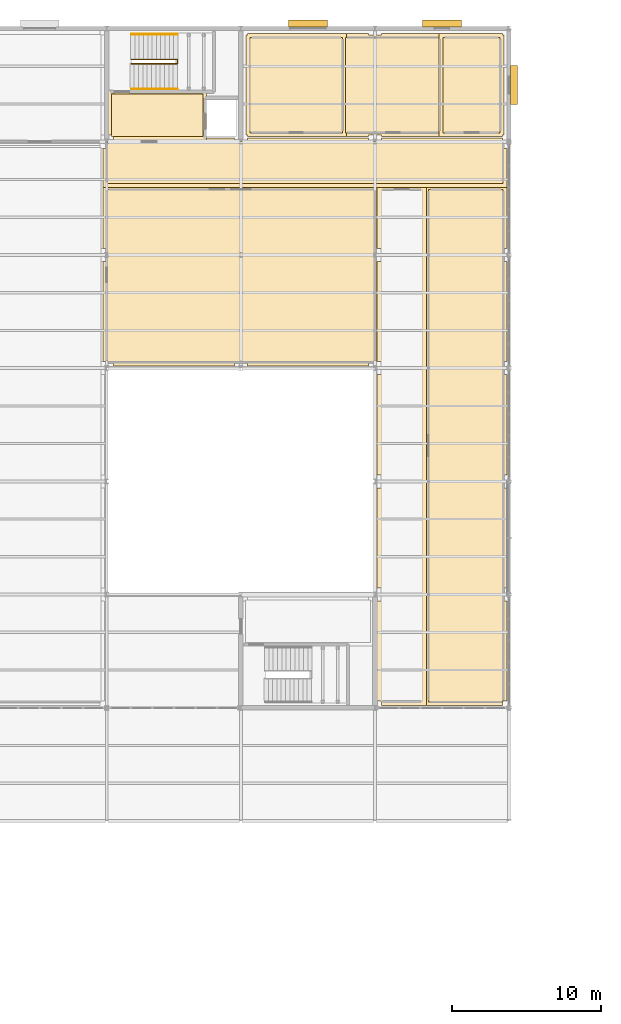
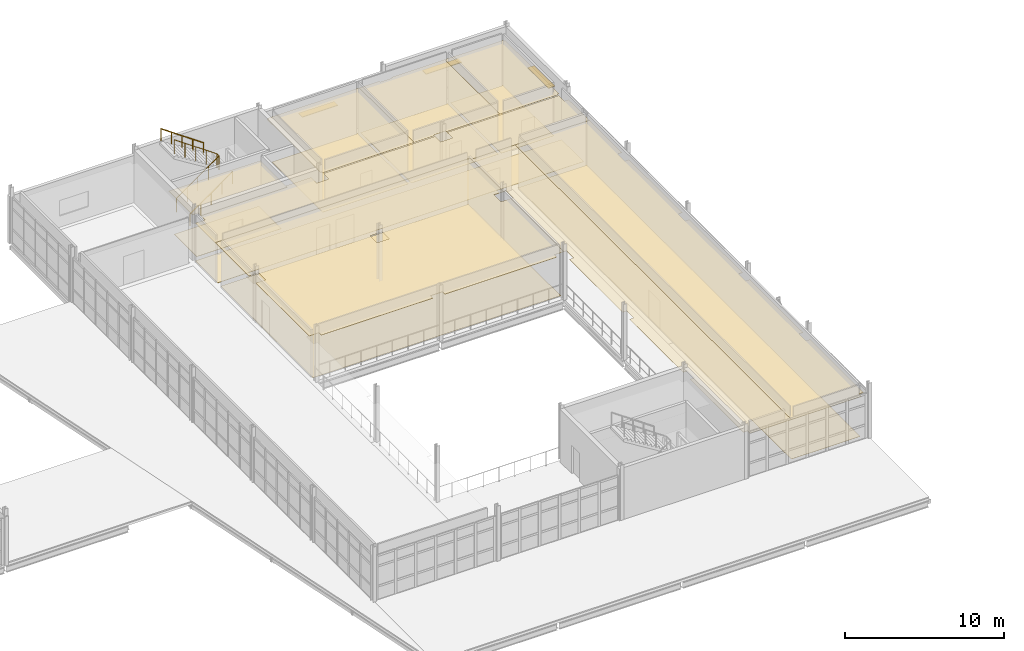
# One storey, part 96 of 96: 15 coverings, 3 railings, 3 shading devices.
"""IFC4 building model written with IfcOpenShell, lengths in metres."""

from ifc_helpers import new_model, si_unit, direction, frame, origin, origin_2d, place, context, subcontext, project, spatial, polyline, rectangle, circle, outline, extrude, material, layer, layer_set, type_object, element, save


model = new_model("IFC4")

# Units and contexts
model_context = context("Model", 3, precision=1e-05, world=origin(), true_north=direction((0.0, 1.0)))
body_context = subcontext(model_context, "Body", "Model", "MODEL_VIEW")
ifc_project = project(units=[si_unit("LENGTHUNIT", "METRE"), si_unit("AREAUNIT", "SQUARE_METRE"), si_unit("VOLUMEUNIT", "CUBIC_METRE"), si_unit("PLANEANGLEUNIT", "RADIAN"), si_unit("MASSUNIT", "GRAM", prefix="KILO")], contexts=[model_context])

# Site, building, storey
site_placement = place(None, origin())
site = spatial("IfcSite", under=ifc_project, at=site_placement, CompositionType="ELEMENT")
building_placement = place(site_placement, origin())
building = spatial("IfcBuilding", under=site, at=building_placement, Name="Caisbarro Railhouse Central Library", CompositionType="ELEMENT")
storey_placement = place(building_placement, frame((0.0, 0.0, 13.679931640625)))
storey = spatial("IfcBuildingStorey", under=building, at=storey_placement, Name="L03", CompositionType="ELEMENT", Elevation=13.679931640625)

# Coverings
ifc_material_1 = material(Name="Perforated mineral-fibre acoustic ceiling tile")
ifc_layer_1 = layer(ifc_material_1, 0.01806640625, Name="Perforated mineral-fibre acoustic ceiling tile")
ifc_layer_set_1 = layer_set([ifc_layer_1], Name="Perforated mineral-fibre acoustic ceiling tile")
covering_type_1 = type_object("IfcCoveringType", Name="COV-CL01", PredefinedType="CEILING", material=ifc_layer_set_1)
covering_1_placement = place(storey_placement, frame((0.0, 0.0, 3.25)))
element("IfcCovering", 1, at=covering_1_placement, inside=storey, type_object=covering_type_1, Name="CL01 acoustic ceiling Lift Lobby K3", PredefinedType="CEILING", context=body_context, shape_type="SweptSolid", body=[
    extrude(outline(polyline([(126.0400390625, 109.860107421875), (132.7099609375, 109.860107421875), (132.7099609375, 106.489990234375), (126.43994140625, 106.489990234375), (126.43994140625, 106.840087890625), (126.0400390625, 106.840087890625), (126.0400390625, 109.860107421875)])), origin(), (0.0, 0.0, 1.0), 0.01806640625),
])
covering_2_placement = place(storey_placement, frame((0.0, 0.0, 3.25)))
element("IfcCovering", 2, at=covering_2_placement, inside=storey, type_object=covering_type_1, Name="CL01 acoustic ceiling Atrium East Corridor L03", PredefinedType="CEILING", context=body_context, shape_type="SweptSolid", body=[
    extrude(outline(polyline([(144.43994140625, 68.840087890625), (144.139892578125, 68.840087890625), (144.139892578125, 75.56005859375), (144.43994140625, 75.56005859375), (144.43994140625, 76.43994140625), (144.139892578125, 76.43994140625), (144.139892578125, 83.159912109375), (144.43994140625, 83.159912109375), (144.43994140625, 84.0400390625), (144.139892578125, 84.0400390625), (144.139892578125, 90.760009765625), (144.43994140625, 90.760009765625), (144.43994140625, 91.639892578125), (144.139892578125, 91.639892578125), (144.139892578125, 98.360107421875), (144.43994140625, 98.360107421875), (144.43994140625, 99.239990234375), (144.139892578125, 99.239990234375), (144.139892578125, 103.4599609375), (147.4599609375, 103.4599609375), (147.4599609375, 68.5400390625), (144.43994140625, 68.5400390625), (144.43994140625, 68.840087890625)])), origin(), (0.0, 0.0, 1.0), 0.01806640625),
])
covering_3_placement = place(storey_placement, frame((0.0, 0.0, 3.25)))
element("IfcCovering", 3, at=covering_3_placement, inside=storey, type_object=covering_type_1, Name="CL01 acoustic ceiling Doctoral Research Suites L03", PredefinedType="CEILING", context=body_context, shape_type="SweptSolid", body=[
    extrude(outline(polyline([(152.56005859375, 83.159912109375), (152.860107421875, 83.159912109375), (152.860107421875, 76.43994140625), (152.56005859375, 76.43994140625), (152.56005859375, 75.56005859375), (152.860107421875, 75.56005859375), (152.860107421875, 68.840087890625), (152.56005859375, 68.840087890625), (152.56005859375, 68.5400390625), (147.340087890625, 68.5400390625), (147.340087890625, 103.4599609375), (152.860107421875, 103.4599609375), (152.860107421875, 99.239990234375), (152.56005859375, 99.239990234375), (152.56005859375, 98.360107421875), (152.860107421875, 98.360107421875), (152.860107421875, 91.639892578125), (152.56005859375, 91.639892578125), (152.56005859375, 90.760009765625), (152.860107421875, 90.760009765625), (152.860107421875, 84.0400390625), (152.56005859375, 84.0400390625), (152.56005859375, 83.159912109375)])), origin(), (0.0, 0.0, 1.0), 0.01806640625),
])
covering_4_placement = place(storey_placement, frame((0.0, 0.0, 3.25)))
element("IfcCovering", 4, at=covering_4_placement, inside=storey, type_object=covering_type_1, Name="CL01 acoustic ceiling Atrium North WC Corridor L03", PredefinedType="CEILING", context=body_context, shape_type="SweptSolid", body=[
    extrude(outline(polyline([(134.56005859375, 106.659912109375), (134.56005859375, 105.9599609375), (135.43994140625, 105.9599609375), (135.43994140625, 106.659912109375), (143.56005859375, 106.659912109375), (143.56005859375, 105.9599609375), (144.43994140625, 105.9599609375), (144.43994140625, 106.659912109375), (152.56005859375, 106.659912109375), (152.56005859375, 105.9599609375), (152.860107421875, 105.9599609375), (152.860107421875, 103.340087890625), (125.739990234375, 103.340087890625), (125.739990234375, 105.9599609375), (126.43994140625, 105.9599609375), (126.43994140625, 106.659912109375), (134.56005859375, 106.659912109375)])), origin(), (0.0, 0.0, 1.0), 0.01806640625),
])
covering_5_placement = place(storey_placement, frame((0.0, 0.0, 3.25)))
element("IfcCovering", 5, at=covering_5_placement, inside=storey, type_object=covering_type_1, Name="CL01 acoustic ceiling Male WC L03-V4", PredefinedType="CEILING", context=body_context, shape_type="SweptSolid", body=[
    extrude(outline(polyline([(142.095947265625, 113.659912109375), (142.095947265625, 106.739990234375), (135.43994140625, 106.739990234375), (135.43994140625, 106.840087890625), (135.340087890625, 106.840087890625), (135.340087890625, 113.56005859375), (135.43994140625, 113.56005859375), (135.43994140625, 113.659912109375), (142.095947265625, 113.659912109375)])), origin(), (0.0, 0.0, 1.0), 0.01806640625),
])
covering_6_placement = place(storey_placement, frame((0.0, 0.0, 3.25)))
element("IfcCovering", 6, at=covering_6_placement, inside=storey, type_object=covering_type_1, Name="CL01 acoustic ceiling Female WC L03-V4", PredefinedType="CEILING", context=body_context, shape_type="SweptSolid", body=[
    extrude(outline(polyline([(143.56005859375, 113.659912109375), (143.56005859375, 113.56005859375), (144.43994140625, 113.56005859375), (144.43994140625, 113.659912109375), (148.632080078125, 113.659912109375), (148.632080078125, 106.739990234375), (144.43994140625, 106.739990234375), (144.43994140625, 106.840087890625), (143.56005859375, 106.840087890625), (143.56005859375, 106.739990234375), (141.77587890625, 106.739990234375), (141.77587890625, 113.659912109375), (143.56005859375, 113.659912109375)])), origin(), (0.0, 0.0, 1.0), 0.01806640625),
])
covering_7_placement = place(storey_placement, frame((0.0, 0.0, 3.25)))
element("IfcCovering", 7, at=covering_7_placement, inside=storey, type_object=covering_type_1, Name="CL01 acoustic ceiling Accessible WC L03-V4", PredefinedType="CEILING", context=body_context, shape_type="SweptSolid", body=[
    extrude(outline(polyline([(152.56005859375, 113.659912109375), (152.56005859375, 113.56005859375), (152.659912109375, 113.56005859375), (152.659912109375, 106.840087890625), (152.56005859375, 106.840087890625), (152.56005859375, 106.739990234375), (148.31201171875, 106.739990234375), (148.31201171875, 113.659912109375), (152.56005859375, 113.659912109375)])), origin(), (0.0, 0.0, 1.0), 0.01806640625),
])
ifc_material_2 = material(Name="Slatted acoustic timber baffle ceiling", Category="wood")
ifc_layer_2 = layer(ifc_material_2, 0.031982421875, Name="Slatted acoustic timber baffle ceiling")
ifc_layer_set_2 = layer_set([ifc_layer_2], Name="Slatted acoustic timber baffle ceiling")
covering_type_2 = type_object("IfcCoveringType", Name="COV-CL02", PredefinedType="CEILING", material=ifc_layer_set_2)
covering_8_placement = place(storey_placement, frame((0.0, 0.0, 3.25)))
element("IfcCovering", 8, at=covering_8_placement, inside=storey, type_object=covering_type_2, Name="CL02 acoustic ceiling Special Collections Reading Room", PredefinedType="CEILING", context=body_context, shape_type="SweptSolid", body=[
    extrude(outline(polyline([(134.56005859375, 91.639892578125), (134.56005859375, 91.340087890625), (126.43994140625, 91.340087890625), (126.43994140625, 91.639892578125), (125.739990234375, 91.639892578125), (125.739990234375, 98.360107421875), (126.43994140625, 98.360107421875), (126.43994140625, 99.239990234375), (125.739990234375, 99.239990234375), (125.739990234375, 103.4599609375), (144.260009765625, 103.4599609375), (144.260009765625, 99.239990234375), (143.56005859375, 99.239990234375), (143.56005859375, 98.360107421875), (144.260009765625, 98.360107421875), (144.260009765625, 91.639892578125), (143.56005859375, 91.639892578125), (143.56005859375, 91.340087890625), (135.43994140625, 91.340087890625), (135.43994140625, 91.639892578125), (134.56005859375, 91.639892578125)]), holes=[polyline([(134.56005859375, 98.360107421875), (135.43994140625, 98.360107421875), (135.43994140625, 99.239990234375), (134.56005859375, 99.239990234375), (134.56005859375, 98.360107421875)])]), origin(), (0.0, 0.0, 1.0), 0.031982421875),
])
ifc_material_3 = material(Name="Polished cementitious terrazzo flooring")
ifc_layer_3 = layer(ifc_material_3, 0.02197265625, Name="Polished cementitious terrazzo flooring")
ifc_layer_set_3 = layer_set([ifc_layer_3], Name="Polished cementitious terrazzo flooring")
covering_type_3 = type_object("IfcCoveringType", Name="COV-FL01", PredefinedType="FLOORING", material=ifc_layer_set_3)
covering_9_placement = place(storey_placement, origin())
element("IfcCovering", 9, at=covering_9_placement, inside=storey, type_object=covering_type_3, Name="FL01 flooring Lift Lobby K3", PredefinedType="FLOORING", context=body_context, shape_type="SweptSolid", body=[
    extrude(outline(polyline([(126.300048828125, 106.75), (132.449951171875, 106.75), (132.449951171875, 109.60009765625), (126.300048828125, 109.60009765625), (126.300048828125, 106.75)])), origin(), (0.0, 0.0, 1.0), 0.02197265625),
])
covering_10_placement = place(storey_placement, origin())
element("IfcCovering", 10, at=covering_10_placement, inside=storey, type_object=covering_type_3, Name="FL01 flooring Atrium North WC Corridor L03", PredefinedType="FLOORING", context=body_context, shape_type="SweptSolid", body=[
    extrude(outline(polyline([(126.0, 103.60009765625), (152.60009765625, 103.60009765625), (152.60009765625, 106.39990234375), (126.0, 106.39990234375), (126.0, 103.60009765625)])), origin(), (0.0, 0.0, 1.0), 0.02197265625),
])
ifc_material_4 = material(Name="Heavy-duty acoustic linoleum flooring")
ifc_layer_4 = layer(ifc_material_4, 0.011962890625, Name="Heavy-duty acoustic linoleum flooring")
ifc_layer_set_4 = layer_set([ifc_layer_4], Name="Heavy-duty acoustic linoleum flooring")
covering_type_4 = type_object("IfcCoveringType", Name="COV-FL02", PredefinedType="FLOORING", material=ifc_layer_set_4)
covering_11_placement = place(storey_placement, origin())
element("IfcCovering", 11, at=covering_11_placement, inside=storey, type_object=covering_type_4, Name="FL02 flooring Special Collections Reading Room", PredefinedType="FLOORING", context=body_context, shape_type="SweptSolid", body=[
    extrude(outline(polyline([(126.0, 91.60009765625), (144.0, 91.60009765625), (144.0, 103.199951171875), (126.0, 103.199951171875), (126.0, 91.60009765625)])), origin(), (0.0, 0.0, 1.0), 0.011962890625),
])
covering_12_placement = place(storey_placement, origin())
element("IfcCovering", 12, at=covering_12_placement, inside=storey, type_object=covering_type_4, Name="FL02 flooring Doctoral Research Suites L03", PredefinedType="FLOORING", context=body_context, shape_type="SweptSolid", body=[
    extrude(outline(polyline([(147.60009765625, 68.800048828125), (152.60009765625, 68.800048828125), (152.60009765625, 103.199951171875), (147.60009765625, 103.199951171875), (147.60009765625, 68.800048828125)])), origin(), (0.0, 0.0, 1.0), 0.011962890625),
])
covering_13_placement = place(storey_placement, origin())
element("IfcCovering", 13, at=covering_13_placement, inside=storey, type_object=covering_type_4, Name="FL02 flooring Male WC L03-V4", PredefinedType="FLOORING", context=body_context, shape_type="SweptSolid", body=[
    extrude(outline(polyline([(135.60009765625, 107.0), (141.8359375, 107.0), (141.8359375, 113.39990234375), (135.60009765625, 113.39990234375), (135.60009765625, 107.0)])), origin(), (0.0, 0.0, 1.0), 0.011962890625),
])
covering_14_placement = place(storey_placement, origin())
element("IfcCovering", 14, at=covering_14_placement, inside=storey, type_object=covering_type_4, Name="FL02 flooring Female WC L03-V4", PredefinedType="FLOORING", context=body_context, shape_type="SweptSolid", body=[
    extrude(outline(polyline([(142.035888671875, 107.0), (148.3720703125, 107.0), (148.3720703125, 113.39990234375), (142.035888671875, 113.39990234375), (142.035888671875, 107.0)])), origin(), (0.0, 0.0, 1.0), 0.011962890625),
])
covering_15_placement = place(storey_placement, origin())
element("IfcCovering", 15, at=covering_15_placement, inside=storey, type_object=covering_type_4, Name="FL02 flooring Accessible WC L03-V4", PredefinedType="FLOORING", context=body_context, shape_type="SweptSolid", body=[
    extrude(outline(polyline([(148.572021484375, 107.0), (152.39990234375, 107.0), (152.39990234375, 113.39990234375), (148.572021484375, 113.39990234375), (148.572021484375, 107.0)])), origin(), (0.0, 0.0, 1.0), 0.011962890625),
])

# Railings
ifc_material_5 = material(Name="Brushed stainless steel Grade 316", Category="steel")
railing_type_1 = type_object("IfcRailingType", Name="RLG-STR092", PredefinedType="HANDRAIL", material=ifc_material_5)
railing_1_placement = place(storey_placement, frame((127.64990234375, 109.93994140625, 0.0)))
element("IfcRailing", 16, at=railing_1_placement, inside=storey, type_object=railing_type_1, Name="Stair ST-03 Outer Handrail F1 L03", PredefinedType="HANDRAIL", context=body_context, shape_type="SweptSolid", body=[
    extrude(circle(Radius=0.02392578125, at=origin_2d()), frame((0.0, 0.0, 0.89599609375), z_axis=(0.819593772312, 0.0, 0.572945065767), x_axis=(0.0, 1.0, 0.0)), (0.0, 0.0, 1.0), 3.770263671875),
    extrude(circle(Radius=0.02099609375, at=origin_2d()), origin(), (0.0, 0.0, 1.0), 0.871826171875),
    extrude(circle(Radius=0.02099609375, at=origin_2d()), frame((0.7724609375, 0.0, 0.5400390625)), (0.0, 0.0, 1.0), 0.871826171875),
    extrude(circle(Radius=0.02099609375, at=origin_2d()), frame((1.544921875, 0.0, 1.080078125)), (0.0, 0.0, 1.0), 0.871826171875),
    extrude(circle(Radius=0.02099609375, at=origin_2d()), frame((2.317626953125, 0.0, 1.6201171875)), (0.0, 0.0, 1.0), 0.871826171875),
    extrude(circle(Radius=0.02099609375, at=origin_2d()), frame((3.090087890625, 0.0, 2.16015625)), (0.0, 0.0, 1.0), 0.871826171875),
])
railing_2_placement = place(storey_placement, frame((130.739990234375, 113.610107421875, 2.16015625)))
element("IfcRailing", 17, at=railing_2_placement, inside=storey, type_object=railing_type_1, Name="Stair ST-03 Outer Handrail F2 L03", PredefinedType="HANDRAIL", context=body_context, shape_type="SweptSolid", body=[
    extrude(circle(Radius=0.02392578125, at=origin_2d()), frame((0.0, 0.0, 0.89599609375), z_axis=(-0.819624179701, 0.0, 0.572901565759), x_axis=(0.0, -1.0, 0.0)), (0.0, 0.0, 1.0), 3.77001953125),
    extrude(circle(Radius=0.02099609375, at=origin_2d()), origin(), (0.0, 0.0, 1.0), 0.871826171875),
    extrude(circle(Radius=0.02099609375, at=origin_2d()), frame((-0.7724609375, 0.0, 0.5400390625)), (0.0, 0.0, 1.0), 0.871826171875),
    extrude(circle(Radius=0.02099609375, at=origin_2d()), frame((-1.544921875, 0.0, 1.080078125)), (0.0, 0.0, 1.0), 0.871826171875),
    extrude(circle(Radius=0.02099609375, at=origin_2d()), frame((-2.317626953125, 0.0, 1.619873046875)), (0.0, 0.0, 1.0), 0.871826171875),
    extrude(circle(Radius=0.02099609375, at=origin_2d()), frame((-3.090087890625, 0.0, 2.159912109375)), (0.0, 0.0, 1.0), 0.871826171875),
])
railing_type_2 = type_object("IfcRailingType", Name="RLG-STR110", PredefinedType="GUARDRAIL", material=ifc_material_5)
railing_3_placement = place(storey_placement, frame((127.64990234375, 111.639892578125, 0.0)))
element("IfcRailing", 18, at=railing_3_placement, inside=storey, type_object=railing_type_2, Name="Stair ST-03 Inner Well Guardrail L03", PredefinedType="GUARDRAIL", context=body_context, shape_type="SweptSolid", body=[
    extrude(circle(Radius=0.02392578125, at=origin_2d()), frame((0.0, 0.0, 1.076171875), z_axis=(0.819593772312, 0.0, 0.572945065767), x_axis=(0.0, 1.0, 0.0)), (0.0, 0.0, 1.0), 3.770263671875),
    extrude(circle(Radius=0.02392578125, at=origin_2d()), frame((3.090087890625, 0.0, 3.236328125), z_axis=(0.0, 1.0, 0.0), x_axis=(-1.0, 0.0, 0.0)), (0.0, 0.0, 1.0), 0.27001953125),
    extrude(circle(Radius=0.02392578125, at=origin_2d()), frame((3.090087890625, 0.27001953125, 3.236328125), z_axis=(-0.819624179701, 0.0, 0.572901565759), x_axis=(0.0, -1.0, 0.0)), (0.0, 0.0, 1.0), 3.77001953125),
    extrude(circle(Radius=0.02099609375, at=origin_2d()), origin(), (0.0, 0.0, 1.0), 1.052001953125),
    extrude(circle(Radius=0.02099609375, at=origin_2d()), frame((0.7724609375, 0.0, 0.5400390625)), (0.0, 0.0, 1.0), 1.052001953125),
    extrude(circle(Radius=0.02099609375, at=origin_2d()), frame((1.544921875, 0.0, 1.080078125)), (0.0, 0.0, 1.0), 1.052001953125),
    extrude(circle(Radius=0.02099609375, at=origin_2d()), frame((2.317626953125, 0.0, 1.6201171875)), (0.0, 0.0, 1.0), 1.052001953125),
    extrude(circle(Radius=0.02099609375, at=origin_2d()), frame((3.090087890625, 0.0, 2.16015625)), (0.0, 0.0, 1.0), 1.052001953125),
    extrude(circle(Radius=0.02099609375, at=origin_2d()), frame((3.090087890625, 0.27001953125, 2.16015625)), (0.0, 0.0, 1.0), 1.052001953125),
    extrude(circle(Radius=0.02099609375, at=origin_2d()), frame((2.317626953125, 0.27001953125, 2.7001953125)), (0.0, 0.0, 1.0), 1.052001953125),
    extrude(circle(Radius=0.02099609375, at=origin_2d()), frame((1.544921875, 0.27001953125, 3.240234375)), (0.0, 0.0, 1.0), 1.052001953125),
    extrude(circle(Radius=0.02099609375, at=origin_2d()), frame((0.7724609375, 0.27001953125, 3.780029296875)), (0.0, 0.0, 1.0), 1.052001953125),
    extrude(circle(Radius=0.02099609375, at=origin_2d()), frame((0.0, 0.27001953125, 4.320068359375)), (0.0, 0.0, 1.0), 1.052001953125),
])

# Shading devices
ifc_material_6 = material(Name="Anodised architectural aluminium", Category="aluminium")
ifc_layer_5 = layer(ifc_material_6, 0.050048828125, Name="Anodised architectural aluminium")
ifc_layer_set_5 = layer_set([ifc_layer_5], Name="Anodised architectural aluminium")
shading_device_type = type_object("IfcShadingDeviceType", Name="SHD-JAL01", PredefinedType="JALOUSIE", material=ifc_layer_set_5)
for number, where, z_axis, x_axis, name in (
    (19, (139.5, 114.330078125, 2.0849609375), (0.0, 0.0, 1.0), (1.0, 0.0, 0.0), "JL01 solar brise-soleil L03-37"),
    (20, (148.5, 114.330078125, 2.23486328125), (0.0, 0.0, 1.0), (1.0, 0.0, 0.0), "JL01 solar brise-soleil L03-38"),
    (21, (153.330078125, 110.199951171875, 2.23486328125), (0.0, 0.0, 1.0), (0.0, 1.0, 0.0), "JL01 solar brise-soleil L03-39"),
):
    element("IfcShadingDevice", number, at=place(storey_placement, frame(where, z_axis=z_axis, x_axis=x_axis)), inside=storey, type_object=shading_device_type, Name=name, PredefinedType="JALOUSIE", context=body_context, shape_type="SweptSolid", body=[
        extrude(rectangle(XDim=2.60009765625, YDim=0.47998046875, at=origin_2d()), origin(), (0.0, 0.0, 1.0), 0.050048828125),
    ])

save(model, "model.ifc")
